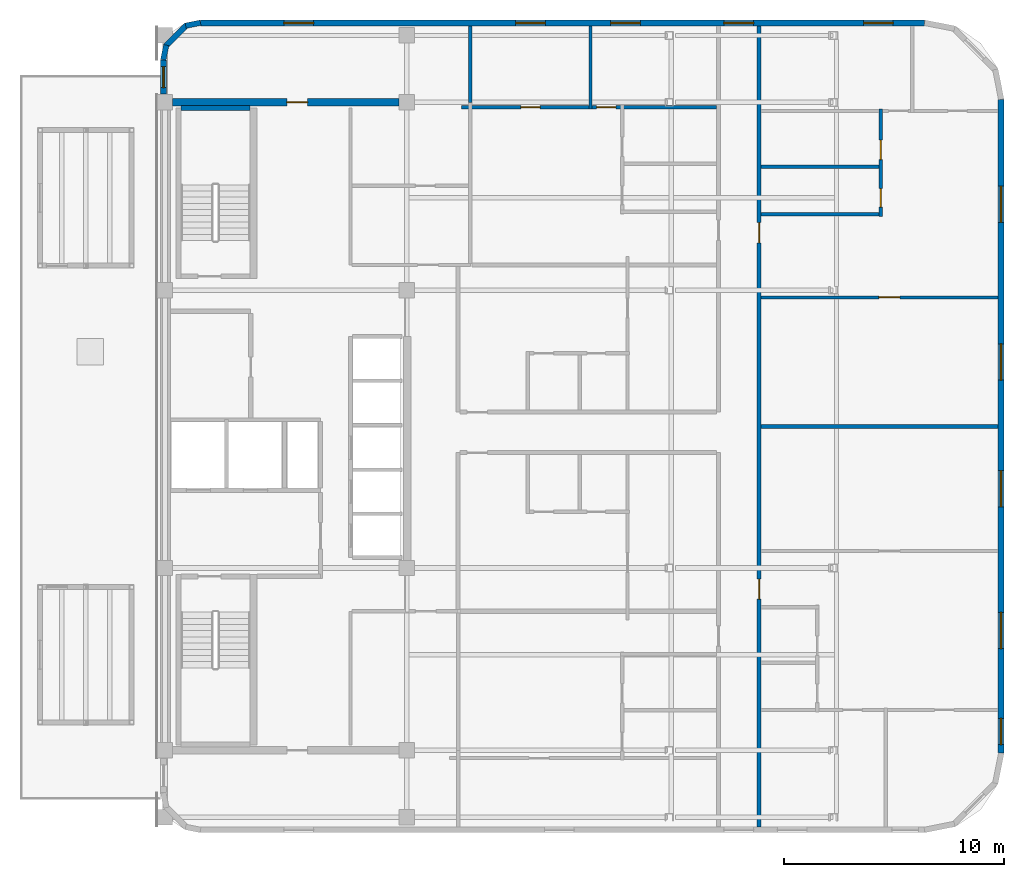
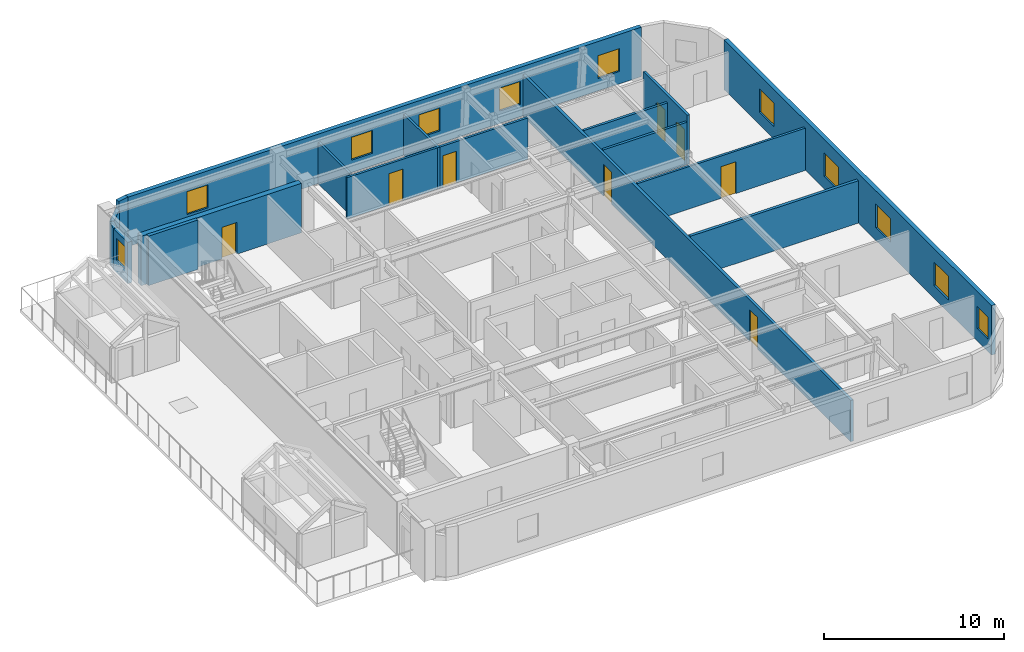
# One storey, part 11 of 13: 17 walls, 11 windows, 8 doors, 19 openings.
"""IFC4 building model written with IfcOpenShell, lengths in metres."""

from ifc_helpers import new_model, si_unit, direction, frame, frame_2d, origin, place, context, subcontext, project, spatial, rectangle, extrude, material, layer, layer_set, type_object, element, fill, save


model = new_model("IFC4")

# Units and contexts
model_context = context("Model", 3, precision=1e-05, world=origin(), true_north=direction((0.0, 1.0)))
body_context = subcontext(model_context, "Body", "Model", "MODEL_VIEW")
ifc_project = project(units=[si_unit("LENGTHUNIT", "METRE"), si_unit("AREAUNIT", "SQUARE_METRE"), si_unit("VOLUMEUNIT", "CUBIC_METRE"), si_unit("PLANEANGLEUNIT", "RADIAN"), si_unit("MASSUNIT", "GRAM", prefix="KILO")], contexts=[model_context])

# Site, building, storey
site_placement = place(None, origin())
site = spatial("IfcSite", under=ifc_project, at=site_placement, CompositionType="ELEMENT")
building_placement = place(site_placement, origin())
building = spatial("IfcBuilding", under=site, at=building_placement, Name="Ochreholt Gables", CompositionType="ELEMENT")
storey_placement = place(building_placement, frame((0.0, 0.0, 205.800048828125)))
storey = spatial("IfcBuildingStorey", under=building, at=storey_placement, Name="L53", CompositionType="ELEMENT", Elevation=205.800048828125)

# Wall, opening, door
ifc_material_1 = material(Name="Concrete 50 MPa", Category="concrete")
ifc_layer_1 = layer(ifc_material_1, 0.35009765625, Name="Concrete 50 MPa")
ifc_layer_set_1 = layer_set([ifc_layer_1], Name="Concrete 50 MPa")
wall_type_1 = type_object("IfcWallType", Name="WALL-CSW-350", PredefinedType="SHEAR", material=ifc_layer_set_1)
wall_1_placement = place(storey_placement, frame((24.550048828125, 38.75, 0.0), z_axis=(0.0, 0.0, 1.0), x_axis=(1.0, 0.0, 0.0)))
wall_1 = element("IfcWall", 1, at=wall_1_placement, inside=storey, type_object=wall_type_1, Name="L53 Core North Shear Wall", PredefinedType="SHEAR", context=body_context, shape_type="SweptSolid", body=[
    extrude(rectangle(XDim=10.300048828125, YDim=0.35009765625, at=frame_2d((5.14990234375, 0.0))), origin(), (0.0, 0.0, 1.0), 3.35986328125),
])
opening_1_placement = place(wall_1_placement, frame((5.199951171875, 0.0, 0.0)))
opening_1 = element("IfcOpeningElement", 2, at=opening_1_placement, cuts=wall_1, Name="Opening D-FL2", PredefinedType="OPENING", context=body_context, shape_type="SweptSolid", body=[
    extrude(rectangle(XDim=0.949951171875, YDim=2.14990234375, at=frame_2d((0.47509765625, 1.074951171875))), frame((0.0, 0.18505859375, 0.0), z_axis=(0.0, -1.0, 0.0), x_axis=(1.0, 0.0, 0.0)), (0.0, 0.0, 1.0), 0.3701171875),
])
ifc_material_2 = material(Name="Hollow Metal Steel", Category="steel")
door_type_1 = type_object("IfcDoorType", Name="DR-INT-FLB950", OperationType="NOTDEFINED", PredefinedType="DOOR", material=ifc_material_2)
door_1_placement = place(opening_1_placement, origin())
door_1 = element("IfcDoor", 3, at=door_1_placement, inside=storey, type_object=door_type_1, Name="L53 Door D-C3NSR-L53", OperationType="SINGLE_SWING_RIGHT", OverallHeight=2.14990234375, OverallWidth=0.949951171875, PredefinedType="DOOR", context=body_context, shape_type="SweptSolid", body=[
    extrude(rectangle(XDim=0.949951171875, YDim=2.14990234375, at=frame_2d((0.47509765625, 1.074951171875))), frame((0.0, 0.02490234375, 0.0), z_axis=(0.0, -1.0, 0.0), x_axis=(1.0, 0.0, 0.0)), (0.0, 0.0, 1.0), 0.050048828125),
])
fill(opening_1, door_1)

# Wall, openings, windows
ifc_material_3 = material(Name="Precast concrete 40 MPa", Category="concrete")
ifc_layer_2 = layer(ifc_material_3, 0.27001953125, Name="Precast concrete 40 MPa")
ifc_layer_set_2 = layer_set([ifc_layer_2], Name="Precast concrete 40 MPa")
wall_type_2 = type_object("IfcWallType", Name="WALL-EXT-270", PredefinedType="SOLIDWALL", material=ifc_layer_set_2)
wall_2_placement = place(storey_placement, frame((62.264892578125, 9.1201171875, 0.0), z_axis=(0.0, 0.0, 1.0), x_axis=(0.0, 1.0, 0.0)))
wall_2 = element("IfcWall", 4, at=wall_2_placement, inside=storey, type_object=wall_type_2, Name="L53 East Exterior Wall", PredefinedType="SOLIDWALL", context=body_context, shape_type="SweptSolid", body=[
    extrude(rectangle(XDim=29.759765625, YDim=0.27001953125, at=frame_2d((14.8798828125, 0.0))), origin(), (0.0, 0.0, 1.0), 3.35986328125),
])
opening_2_placement = place(wall_2_placement, frame((0.385009765625, 0.0, 0.85009765625)))
opening_2 = element("IfcOpeningElement", 5, at=opening_2_placement, cuts=wall_2, Name="Opening WN-3", PredefinedType="OPENING", context=body_context, shape_type="SweptSolid", body=[
    extrude(rectangle(XDim=1.199951171875, YDim=1.5, at=frame_2d((0.60009765625, 0.75))), frame((0.0, 0.14501953125, 0.0), z_axis=(0.0, -1.0, 0.0), x_axis=(1.0, 0.0, 0.0)), (0.0, 0.0, 1.0), 0.2900390625),
])
opening_3_placement = place(wall_2_placement, frame((4.7626953125, 0.0, 0.85009765625)))
opening_3 = element("IfcOpeningElement", 6, at=opening_3_placement, cuts=wall_2, Name="Opening WN-7", PredefinedType="OPENING", context=body_context, shape_type="SweptSolid", body=[
    extrude(rectangle(XDim=1.64990234375, YDim=1.60009765625, at=frame_2d((0.824951171875, 0.800048828125))), frame((0.0, 0.14501953125, 0.0), z_axis=(0.0, -1.0, 0.0), x_axis=(1.0, 0.0, 0.0)), (0.0, 0.0, 1.0), 0.2900390625),
])
opening_4_placement = place(wall_2_placement, frame((11.2177734375, 0.0, 0.85009765625)))
opening_4 = element("IfcOpeningElement", 7, at=opening_4_placement, cuts=wall_2, Name="Opening WN-7", PredefinedType="OPENING", context=body_context, shape_type="SweptSolid", body=[
    extrude(rectangle(XDim=1.64990234375, YDim=1.60009765625, at=frame_2d((0.824951171875, 0.800048828125))), frame((0.0, 0.14501953125, 0.0), z_axis=(0.0, -1.0, 0.0), x_axis=(1.0, 0.0, 0.0)), (0.0, 0.0, 1.0), 0.2900390625),
])
opening_5_placement = place(wall_2_placement, frame((16.989501953125, 0.0, 0.85009765625)))
opening_5 = element("IfcOpeningElement", 8, at=opening_5_placement, cuts=wall_2, Name="Opening WN-7", PredefinedType="OPENING", context=body_context, shape_type="SweptSolid", body=[
    extrude(rectangle(XDim=1.64990234375, YDim=1.60009765625, at=frame_2d((0.824951171875, 0.800048828125))), frame((0.0, 0.14501953125, 0.0), z_axis=(0.0, -1.0, 0.0), x_axis=(1.0, 0.0, 0.0)), (0.0, 0.0, 1.0), 0.2900390625),
])
opening_6_placement = place(wall_2_placement, frame((24.169677734375, 0.0, 0.85009765625)))
opening_6 = element("IfcOpeningElement", 9, at=opening_6_placement, cuts=wall_2, Name="Opening WN-7", PredefinedType="OPENING", context=body_context, shape_type="SweptSolid", body=[
    extrude(rectangle(XDim=1.64990234375, YDim=1.60009765625, at=frame_2d((0.824951171875, 0.800048828125))), frame((0.0, 0.14501953125, 0.0), z_axis=(0.0, -1.0, 0.0), x_axis=(1.0, 0.0, 0.0)), (0.0, 0.0, 1.0), 0.2900390625),
])
ifc_material_4 = material(Name="Triple-Glazed Thermally Broken Aluminium Window", Category="aluminium")
window_type_1 = type_object("IfcWindowType", Name="WIN-RES-1200", PartitioningType="SINGLE_PANEL", PredefinedType="WINDOW", material=ifc_material_4)
window_1_placement = place(opening_2_placement, origin())
window_1 = element("IfcWindow", 10, at=window_1_placement, inside=storey, type_object=window_type_1, Name="L53 Window W-EXT-E-L53-1", OverallHeight=1.5, OverallWidth=1.199951171875, PartitioningType="SINGLE_PANEL", PredefinedType="WINDOW", context=body_context, shape_type="SweptSolid", body=[
    extrude(rectangle(XDim=1.199951171875, YDim=1.5, at=frame_2d((0.60009765625, 0.75))), frame((0.0, 0.030029296875, 0.0), z_axis=(0.0, -1.0, 0.0), x_axis=(1.0, 0.0, 0.0)), (0.0, 0.0, 1.0), 0.06005859375),
])
fill(opening_2, window_1)
window_type_2 = type_object("IfcWindowType", Name="WIN-RES-1650", PartitioningType="SINGLE_PANEL", PredefinedType="WINDOW", material=ifc_material_4)
window_2_placement = place(opening_3_placement, origin())
window_2 = element("IfcWindow", 11, at=window_2_placement, inside=storey, type_object=window_type_2, Name="L53 Window W-EXT-E-L53-2", OverallHeight=1.60009765625, OverallWidth=1.64990234375, PartitioningType="SINGLE_PANEL", PredefinedType="WINDOW", context=body_context, shape_type="SweptSolid", body=[
    extrude(rectangle(XDim=1.64990234375, YDim=1.60009765625, at=frame_2d((0.824951171875, 0.800048828125))), frame((0.0, 0.030029296875, 0.0), z_axis=(0.0, -1.0, 0.0), x_axis=(1.0, 0.0, 0.0)), (0.0, 0.0, 1.0), 0.06005859375),
])
fill(opening_3, window_2)
window_3_placement = place(opening_4_placement, origin())
window_3 = element("IfcWindow", 12, at=window_3_placement, inside=storey, type_object=window_type_2, Name="L53 Window W-EXT-E-L53-3", OverallHeight=1.60009765625, OverallWidth=1.64990234375, PartitioningType="SINGLE_PANEL", PredefinedType="WINDOW", context=body_context, shape_type="SweptSolid", body=[
    extrude(rectangle(XDim=1.64990234375, YDim=1.60009765625, at=frame_2d((0.824951171875, 0.800048828125))), frame((0.0, 0.030029296875, 0.0), z_axis=(0.0, -1.0, 0.0), x_axis=(1.0, 0.0, 0.0)), (0.0, 0.0, 1.0), 0.06005859375),
])
fill(opening_4, window_3)
window_4_placement = place(opening_5_placement, origin())
window_4 = element("IfcWindow", 13, at=window_4_placement, inside=storey, type_object=window_type_2, Name="L53 Window W-EXT-E-L53-4", OverallHeight=1.60009765625, OverallWidth=1.64990234375, PartitioningType="SINGLE_PANEL", PredefinedType="WINDOW", context=body_context, shape_type="SweptSolid", body=[
    extrude(rectangle(XDim=1.64990234375, YDim=1.60009765625, at=frame_2d((0.824951171875, 0.800048828125))), frame((0.0, 0.030029296875, 0.0), z_axis=(0.0, -1.0, 0.0), x_axis=(1.0, 0.0, 0.0)), (0.0, 0.0, 1.0), 0.06005859375),
])
fill(opening_5, window_4)
window_5_placement = place(opening_6_placement, origin())
window_5 = element("IfcWindow", 14, at=window_5_placement, inside=storey, type_object=window_type_2, Name="L53 Window W-EXT-E-L53-5", OverallHeight=1.60009765625, OverallWidth=1.64990234375, PartitioningType="SINGLE_PANEL", PredefinedType="WINDOW", context=body_context, shape_type="SweptSolid", body=[
    extrude(rectangle(XDim=1.64990234375, YDim=1.60009765625, at=frame_2d((0.824951171875, 0.800048828125))), frame((0.0, 0.030029296875, 0.0), z_axis=(0.0, -1.0, 0.0), x_axis=(1.0, 0.0, 0.0)), (0.0, 0.0, 1.0), 0.06005859375),
])
fill(opening_6, window_5)

wall_3_placement = place(storey_placement, frame((58.780029296875, 42.364990234375, 0.0), z_axis=(0.0, 0.0, 1.0), x_axis=(-1.0, 0.0, 0.0)))
wall_3 = element("IfcWall", 15, at=wall_3_placement, inside=storey, type_object=wall_type_2, Name="L53 North Exterior Wall", PredefinedType="SOLIDWALL", context=body_context, shape_type="SweptSolid", body=[
    extrude(rectangle(XDim=32.9599609375, YDim=0.27001953125, at=frame_2d((16.47998046875, 0.0))), origin(), (0.0, 0.0, 1.0), 3.35986328125),
])
opening_7_placement = place(wall_3_placement, frame((27.81494140625, 0.0, 0.85009765625)))
opening_7 = element("IfcOpeningElement", 16, at=opening_7_placement, cuts=wall_3, Name="Opening WN-8", PredefinedType="OPENING", context=body_context, shape_type="SweptSolid", body=[
    extrude(rectangle(XDim=1.35009765625, YDim=1.550048828125, at=frame_2d((0.675048828125, 0.77490234375))), frame((0.0, 0.14501953125, 0.0), z_axis=(0.0, -1.0, 0.0), x_axis=(1.0, 0.0, 0.0)), (0.0, 0.0, 1.0), 0.2900390625),
])
opening_8_placement = place(wall_3_placement, frame((17.264892578125, 0.0, 0.85009765625)))
opening_8 = element("IfcOpeningElement", 17, at=opening_8_placement, cuts=wall_3, Name="Opening WN-8", PredefinedType="OPENING", context=body_context, shape_type="SweptSolid", body=[
    extrude(rectangle(XDim=1.35009765625, YDim=1.550048828125, at=frame_2d((0.675048828125, 0.77490234375))), frame((0.0, 0.14501953125, 0.0), z_axis=(0.0, -1.0, 0.0), x_axis=(1.0, 0.0, 0.0)), (0.0, 0.0, 1.0), 0.2900390625),
])
opening_9_placement = place(wall_3_placement, frame((12.93408203125, 0.0, 0.85009765625)))
opening_9 = element("IfcOpeningElement", 18, at=opening_9_placement, cuts=wall_3, Name="Opening WN-8", PredefinedType="OPENING", context=body_context, shape_type="SweptSolid", body=[
    extrude(rectangle(XDim=1.35009765625, YDim=1.550048828125, at=frame_2d((0.675048828125, 0.77490234375))), frame((0.0, 0.14501953125, 0.0), z_axis=(0.0, -1.0, 0.0), x_axis=(1.0, 0.0, 0.0)), (0.0, 0.0, 1.0), 0.2900390625),
])
opening_10_placement = place(wall_3_placement, frame((7.780029296875, 0.0, 0.85009765625)))
opening_10 = element("IfcOpeningElement", 19, at=opening_10_placement, cuts=wall_3, Name="Opening WN-8", PredefinedType="OPENING", context=body_context, shape_type="SweptSolid", body=[
    extrude(rectangle(XDim=1.35009765625, YDim=1.550048828125, at=frame_2d((0.675048828125, 0.77490234375))), frame((0.0, 0.14501953125, 0.0), z_axis=(0.0, -1.0, 0.0), x_axis=(1.0, 0.0, 0.0)), (0.0, 0.0, 1.0), 0.2900390625),
])
opening_11_placement = place(wall_3_placement, frame((1.42626953125, 0.0, 0.85009765625)))
opening_11 = element("IfcOpeningElement", 20, at=opening_11_placement, cuts=wall_3, Name="Opening WN-8", PredefinedType="OPENING", context=body_context, shape_type="SweptSolid", body=[
    extrude(rectangle(XDim=1.35009765625, YDim=1.550048828125, at=frame_2d((0.675048828125, 0.77490234375))), frame((0.0, 0.14501953125, 0.0), z_axis=(0.0, -1.0, 0.0), x_axis=(1.0, 0.0, 0.0)), (0.0, 0.0, 1.0), 0.2900390625),
])
window_type_3 = type_object("IfcWindowType", Name="WIN-RES-1350", PartitioningType="SINGLE_PANEL", PredefinedType="WINDOW", material=ifc_material_4)
window_6_placement = place(opening_7_placement, origin())
window_6 = element("IfcWindow", 21, at=window_6_placement, inside=storey, type_object=window_type_3, Name="L53 Window W-EXT-N-L53-1", OverallHeight=1.550048828125, OverallWidth=1.35009765625, PartitioningType="SINGLE_PANEL", PredefinedType="WINDOW", context=body_context, shape_type="SweptSolid", body=[
    extrude(rectangle(XDim=1.35009765625, YDim=1.550048828125, at=frame_2d((0.675048828125, 0.77490234375))), frame((0.0, 0.030029296875, 0.0), z_axis=(0.0, -1.0, 0.0), x_axis=(1.0, 0.0, 0.0)), (0.0, 0.0, 1.0), 0.06005859375),
])
fill(opening_7, window_6)
window_7_placement = place(opening_8_placement, origin())
window_7 = element("IfcWindow", 22, at=window_7_placement, inside=storey, type_object=window_type_3, Name="L53 Window W-EXT-N-L53-2", OverallHeight=1.550048828125, OverallWidth=1.35009765625, PartitioningType="SINGLE_PANEL", PredefinedType="WINDOW", context=body_context, shape_type="SweptSolid", body=[
    extrude(rectangle(XDim=1.35009765625, YDim=1.550048828125, at=frame_2d((0.675048828125, 0.77490234375))), frame((0.0, 0.030029296875, 0.0), z_axis=(0.0, -1.0, 0.0), x_axis=(1.0, 0.0, 0.0)), (0.0, 0.0, 1.0), 0.06005859375),
])
fill(opening_8, window_7)
window_8_placement = place(opening_9_placement, origin())
window_8 = element("IfcWindow", 23, at=window_8_placement, inside=storey, type_object=window_type_3, Name="L53 Window W-EXT-N-L53-3", OverallHeight=1.550048828125, OverallWidth=1.35009765625, PartitioningType="SINGLE_PANEL", PredefinedType="WINDOW", context=body_context, shape_type="SweptSolid", body=[
    extrude(rectangle(XDim=1.35009765625, YDim=1.550048828125, at=frame_2d((0.675048828125, 0.77490234375))), frame((0.0, 0.030029296875, 0.0), z_axis=(0.0, -1.0, 0.0), x_axis=(1.0, 0.0, 0.0)), (0.0, 0.0, 1.0), 0.06005859375),
])
fill(opening_9, window_8)
window_9_placement = place(opening_10_placement, origin())
window_9 = element("IfcWindow", 24, at=window_9_placement, inside=storey, type_object=window_type_3, Name="L53 Window W-EXT-N-L53-4", OverallHeight=1.550048828125, OverallWidth=1.35009765625, PartitioningType="SINGLE_PANEL", PredefinedType="WINDOW", context=body_context, shape_type="SweptSolid", body=[
    extrude(rectangle(XDim=1.35009765625, YDim=1.550048828125, at=frame_2d((0.675048828125, 0.77490234375))), frame((0.0, 0.030029296875, 0.0), z_axis=(0.0, -1.0, 0.0), x_axis=(1.0, 0.0, 0.0)), (0.0, 0.0, 1.0), 0.06005859375),
])
fill(opening_10, window_9)
window_10_placement = place(opening_11_placement, origin())
window_10 = element("IfcWindow", 25, at=window_10_placement, inside=storey, type_object=window_type_3, Name="L53 Window W-EXT-N-L53-5", OverallHeight=1.550048828125, OverallWidth=1.35009765625, PartitioningType="SINGLE_PANEL", PredefinedType="WINDOW", context=body_context, shape_type="SweptSolid", body=[
    extrude(rectangle(XDim=1.35009765625, YDim=1.550048828125, at=frame_2d((0.675048828125, 0.77490234375))), frame((0.0, 0.030029296875, 0.0), z_axis=(0.0, -1.0, 0.0), x_axis=(1.0, 0.0, 0.0)), (0.0, 0.0, 1.0), 0.06005859375),
])
fill(opening_11, window_10)

# Wall, opening, window
wall_4_placement = place(storey_placement, frame((24.135009765625, 39.1201171875, 0.0), z_axis=(0.0, 0.0, 1.0), x_axis=(0.0, 1.0, 0.0)))
wall_4 = element("IfcWall", 26, at=wall_4_placement, inside=storey, type_object=wall_type_2, Name="L53 West Facade North Bay Wall", PredefinedType="SOLIDWALL", context=body_context, shape_type="SweptSolid", body=[
    extrude(rectangle(XDim=1.559814453125, YDim=0.27001953125, at=frame_2d((0.77978515625, 0.0))), origin(), (0.0, 0.0, 1.0), 2.802978515625),
])
opening_12_placement = place(wall_4_placement, frame((0.304931640625, 0.0, 0.85009765625)))
opening_12 = element("IfcOpeningElement", 27, at=opening_12_placement, cuts=wall_4, Name="Opening WN-10", PredefinedType="OPENING", context=body_context, shape_type="SweptSolid", body=[
    extrude(rectangle(XDim=0.949951171875, YDim=1.5, at=frame_2d((0.47509765625, 0.75))), frame((0.0, 0.14501953125, 0.0), z_axis=(0.0, -1.0, 0.0), x_axis=(1.0, 0.0, 0.0)), (0.0, 0.0, 1.0), 0.2900390625),
])
window_type_4 = type_object("IfcWindowType", Name="WIN-RES-950", PartitioningType="SINGLE_PANEL", PredefinedType="WINDOW", material=ifc_material_4)
window_11_placement = place(opening_12_placement, origin())
window_11 = element("IfcWindow", 28, at=window_11_placement, inside=storey, type_object=window_type_4, Name="L53 North Sky Reading West Window", OverallHeight=1.5, OverallWidth=0.949951171875, PartitioningType="SINGLE_PANEL", PredefinedType="WINDOW", context=body_context, shape_type="SweptSolid", body=[
    extrude(rectangle(XDim=0.949951171875, YDim=1.5, at=frame_2d((0.47509765625, 0.75))), frame((0.0, 0.030029296875, 0.0), z_axis=(0.0, -1.0, 0.0), x_axis=(1.0, 0.0, 0.0)), (0.0, 0.0, 1.0), 0.06005859375),
])
fill(opening_12, window_11)

# Walls
ifc_layer_3 = layer(ifc_material_3, 0.25, Name="Precast concrete 40 MPa")
ifc_layer_set_3 = layer_set([ifc_layer_3], Name="Precast concrete 40 MPa")
wall_type_3 = type_object("IfcWallType", Name="WALL-EXT-CNR", PredefinedType="SOLIDWALL", material=ifc_layer_set_3)
wall_5_placement = place(storey_placement, frame((25.81640625, 42.375732421875, 0.0), z_axis=(0.0, 0.0, 1.0), x_axis=(-0.980812594069, -0.194952956674, 0.0)))
element("IfcWall", 29, at=wall_5_placement, inside=storey, type_object=wall_type_3, Name="L53 Rounded Corner Wall NW-1", PredefinedType="SOLIDWALL", context=body_context, shape_type="SweptSolid", body=[
    extrude(rectangle(XDim=0.686279296875, YDim=0.25, at=frame_2d((0.34326171875, 0.0))), origin(), (0.0, 0.0, 1.0), 3.35986328125),
])
wall_6_placement = place(storey_placement, frame((25.19384765625, 42.26904296875, 0.0), z_axis=(0.0, 0.0, 1.0), x_axis=(-0.707106781187, -0.707106781187, 0.0)))
element("IfcWall", 30, at=wall_6_placement, inside=storey, type_object=wall_type_3, Name="L53 Rounded Corner Wall NW-2", PredefinedType="SOLIDWALL", context=body_context, shape_type="SweptSolid", body=[
    extrude(rectangle(XDim=1.36181640625, YDim=0.25, at=frame_2d((0.680908203125, 0.0))), origin(), (0.0, 0.0, 1.0), 2.802978515625),
])
wall_7_placement = place(storey_placement, frame((24.258056640625, 41.356689453125, 0.0), z_axis=(0.0, 0.0, 1.0), x_axis=(-0.194952956674, -0.980812594069, 0.0)))
element("IfcWall", 31, at=wall_7_placement, inside=storey, type_object=wall_type_3, Name="L53 Rounded Corner Wall NW-3", PredefinedType="SOLIDWALL", context=body_context, shape_type="SweptSolid", body=[
    extrude(rectangle(XDim=0.686279296875, YDim=0.25, at=frame_2d((0.34326171875, 0.0))), origin(), (0.0, 0.0, 1.0), 2.802978515625),
])

# Wall, openings, doors
ifc_material_5 = material(Name="Fire-Rated Gypsum Acoustic Partition", Category="gypsum")
ifc_layer_4 = layer(ifc_material_5, 0.179931640625, Name="Fire-Rated Gypsum Acoustic Partition")
ifc_layer_set_4 = layer_set([ifc_layer_4], Name="Fire-Rated Gypsum Acoustic Partition")
wall_type_4 = type_object("IfcWallType", Name="WALL-INT-CR180", PredefinedType="STANDARD", material=ifc_layer_set_4)
wall_8_placement = place(storey_placement, frame((51.25, 5.77001953125, 0.0), z_axis=(0.0, 0.0, 1.0), x_axis=(0.0, 1.0, 0.0)))
wall_8 = element("IfcWall", 32, at=wall_8_placement, inside=storey, type_object=wall_type_4, Name="L53 Interior Wall WI-C3GE-L53", PredefinedType="STANDARD", context=body_context, shape_type="SweptSolid", body=[
    extrude(rectangle(XDim=36.4599609375, YDim=0.179931640625, at=frame_2d((18.22998046875, 0.0))), origin(), (0.0, 0.0, 1.0), 2.802978515625),
])
opening_13_placement = place(wall_8_placement, frame((10.3583984375, 0.0, 0.0)))
opening_13 = element("IfcOpeningElement", 33, at=opening_13_placement, cuts=wall_8, Name="Opening D-UN1", PredefinedType="OPENING", context=body_context, shape_type="SweptSolid", body=[
    extrude(rectangle(XDim=0.919921875, YDim=2.14990234375, at=frame_2d((0.4599609375, 1.074951171875))), frame((0.0, 0.099853515625, 0.0), z_axis=(0.0, -1.0, 0.0), x_axis=(1.0, 0.0, 0.0)), (0.0, 0.0, 1.0), 0.199951171875),
])
opening_14_placement = place(wall_8_placement, frame((26.5830078125, 0.0, 0.0)))
opening_14 = element("IfcOpeningElement", 34, at=opening_14_placement, cuts=wall_8, Name="Opening D-UN1", PredefinedType="OPENING", context=body_context, shape_type="SweptSolid", body=[
    extrude(rectangle(XDim=0.919921875, YDim=2.14990234375, at=frame_2d((0.4599609375, 1.074951171875))), frame((0.0, 0.099853515625, 0.0), z_axis=(0.0, -1.0, 0.0), x_axis=(1.0, 0.0, 0.0)), (0.0, 0.0, 1.0), 0.199951171875),
])
ifc_material_6 = material(Name="Engineered Oak Timber", Category="wood")
door_type_2 = type_object("IfcDoorType", Name="DR-INT-UNT920", OperationType="NOTDEFINED", PredefinedType="DOOR", material=ifc_material_6)
door_2_placement = place(opening_13_placement, origin())
door_2 = element("IfcDoor", 35, at=door_2_placement, inside=storey, type_object=door_type_2, Name="L53 Door D-U-L53E1-ENT", OperationType="SINGLE_SWING_RIGHT", OverallHeight=2.14990234375, OverallWidth=0.919921875, PredefinedType="DOOR", context=body_context, shape_type="SweptSolid", body=[
    extrude(rectangle(XDim=0.919921875, YDim=2.14990234375, at=frame_2d((0.4599609375, 1.074951171875))), frame((0.0, 0.02490234375, 0.0), z_axis=(0.0, -1.0, 0.0), x_axis=(1.0, 0.0, 0.0)), (0.0, 0.0, 1.0), 0.050048828125),
])
fill(opening_13, door_2)
door_3_placement = place(opening_14_placement, origin())
door_3 = element("IfcDoor", 36, at=door_3_placement, inside=storey, type_object=door_type_2, Name="L53 Door D-U-L53E2-ENT", OperationType="SINGLE_SWING_LEFT", OverallHeight=2.14990234375, OverallWidth=0.919921875, PredefinedType="DOOR", context=body_context, shape_type="SweptSolid", body=[
    extrude(rectangle(XDim=0.919921875, YDim=2.14990234375, at=frame_2d((0.4599609375, 1.074951171875))), frame((0.0, 0.02490234375, 0.0), z_axis=(0.0, -1.0, 0.0), x_axis=(1.0, 0.0, 0.0)), (0.0, 0.0, 1.0), 0.050048828125),
])
fill(opening_14, door_3)

# Walls
ifc_material_7 = material(Name="Double-Stud Acoustic Demising Wall", Category="gypsum")
ifc_layer_5 = layer(ifc_material_7, 0.18505859375, Name="Double-Stud Acoustic Demising Wall")
ifc_layer_set_5 = layer_set([ifc_layer_5], Name="Double-Stud Acoustic Demising Wall")
wall_type_5 = type_object("IfcWallType", Name="WALL-INT-DM185", PredefinedType="PARTITIONING", material=ifc_layer_set_5)
wall_9_placement = place(storey_placement, frame((51.340087890625, 24.0, 0.0), z_axis=(0.0, 0.0, 1.0), x_axis=(1.0, 0.0, 0.0)))
element("IfcWall", 37, at=wall_9_placement, inside=storey, type_object=wall_type_5, Name="L53 Interior Wall WI-C3UDE2-L53", PredefinedType="PARTITIONING", context=body_context, shape_type="SweptSolid", body=[
    extrude(rectangle(XDim=10.789794921875, YDim=0.18505859375, at=frame_2d((5.39501953125, 0.0))), origin(), (0.0, 0.0, 1.0), 2.87890625),
])
ifc_material_8 = material(Name="Moisture-Resistant Plumbing Chase Wall", Category="gypsum")
ifc_layer_6 = layer(ifc_material_8, 0.159912109375, Name="Moisture-Resistant Plumbing Chase Wall")
ifc_layer_set_6 = layer_set([ifc_layer_6], Name="Moisture-Resistant Plumbing Chase Wall")
wall_type_6 = type_object("IfcWallType", Name="WALL-INT-PL160", PredefinedType="PLUMBINGWALL", material=ifc_layer_set_6)
wall_10_placement = place(storey_placement, frame((51.340087890625, 33.653076171875, 0.0), z_axis=(0.0, 0.0, 1.0), x_axis=(1.0, 0.0, 0.0)))
element("IfcWall", 38, at=wall_10_placement, inside=storey, type_object=wall_type_6, Name="L53 Interior Wall WU-L53E2-FYS", PredefinedType="PLUMBINGWALL", context=body_context, shape_type="SweptSolid", body=[
    extrude(rectangle(XDim=5.530029296875, YDim=0.159912109375, at=frame_2d((2.76513671875, 0.0))), origin(), (0.0, 0.0, 1.0), 2.87890625),
])

# Wall, openings, doors
wall_11_placement = place(storey_placement, frame((56.7900390625, 33.56298828125, 0.0), z_axis=(0.0, 0.0, 1.0), x_axis=(0.0, 1.0, 0.0)))
wall_11 = element("IfcWall", 39, at=wall_11_placement, inside=storey, type_object=wall_type_6, Name="L53 Interior Wall WU-L53E2-WX", PredefinedType="PLUMBINGWALL", context=body_context, shape_type="SweptSolid", body=[
    extrude(rectangle(XDim=4.886962890625, YDim=0.159912109375, at=frame_2d((2.443359375, 0.0))), origin(), (0.0, 0.0, 1.0), 3.35986328125),
])
opening_15_placement = place(wall_11_placement, frame((0.419921875, 0.0, 0.0)))
opening_15 = element("IfcOpeningElement", 40, at=opening_15_placement, cuts=wall_11, Name="Opening D-BT2", PredefinedType="OPENING", context=body_context, shape_type="SweptSolid", body=[
    extrude(rectangle(XDim=0.840087890625, YDim=2.1201171875, at=frame_2d((0.419921875, 1.06005859375))), frame((0.0, 0.08984375, 0.0), z_axis=(0.0, -1.0, 0.0), x_axis=(1.0, 0.0, 0.0)), (0.0, 0.0, 1.0), 0.179931640625),
])
opening_16_placement = place(wall_11_placement, frame((2.585205078125, 0.0, 0.0)))
opening_16 = element("IfcOpeningElement", 41, at=opening_16_placement, cuts=wall_11, Name="Opening D-GN2", PredefinedType="OPENING", context=body_context, shape_type="SweptSolid", body=[
    extrude(rectangle(XDim=0.8798828125, YDim=2.1201171875, at=frame_2d((0.43994140625, 1.06005859375))), frame((0.0, 0.08984375, 0.0), z_axis=(0.0, -1.0, 0.0), x_axis=(1.0, 0.0, 0.0)), (0.0, 0.0, 1.0), 0.179931640625),
])
door_type_3 = type_object("IfcDoorType", Name="DR-INT-BTH840", OperationType="NOTDEFINED", PredefinedType="DOOR", material=ifc_material_6)
door_4_placement = place(opening_15_placement, origin())
door_4 = element("IfcDoor", 42, at=door_4_placement, inside=storey, type_object=door_type_3, Name="L53 Door D-U-L53E2-BTH", OperationType="SINGLE_SWING_RIGHT", OverallHeight=2.1201171875, OverallWidth=0.840087890625, PredefinedType="DOOR", context=body_context, shape_type="SweptSolid", body=[
    extrude(rectangle(XDim=0.840087890625, YDim=2.1201171875, at=frame_2d((0.419921875, 1.06005859375))), frame((0.0, 0.02490234375, 0.0), z_axis=(0.0, -1.0, 0.0), x_axis=(1.0, 0.0, 0.0)), (0.0, 0.0, 1.0), 0.050048828125),
])
fill(opening_15, door_4)
door_type_4 = type_object("IfcDoorType", Name="DR-INT-GEN880", OperationType="NOTDEFINED", PredefinedType="DOOR", material=ifc_material_6)
door_5_placement = place(opening_16_placement, origin())
door_5 = element("IfcDoor", 43, at=door_5_placement, inside=storey, type_object=door_type_4, Name="L53 Door D-U-L53E2-KIT", OperationType="SINGLE_SWING_LEFT", OverallHeight=2.1201171875, OverallWidth=0.8798828125, PredefinedType="DOOR", context=body_context, shape_type="SweptSolid", body=[
    extrude(rectangle(XDim=0.8798828125, YDim=2.1201171875, at=frame_2d((0.43994140625, 1.06005859375))), frame((0.0, 0.02490234375, 0.0), z_axis=(0.0, -1.0, 0.0), x_axis=(1.0, 0.0, 0.0)), (0.0, 0.0, 1.0), 0.050048828125),
])
fill(opening_16, door_5)

# Wall
wall_12_placement = place(storey_placement, frame((51.340087890625, 35.818115234375, 0.0), z_axis=(0.0, 0.0, 1.0), x_axis=(1.0, 0.0, 0.0)))
element("IfcWall", 44, at=wall_12_placement, inside=storey, type_object=wall_type_6, Name="L53 Interior Wall WU-L53E2-WK", PredefinedType="PLUMBINGWALL", context=body_context, shape_type="SweptSolid", body=[
    extrude(rectangle(XDim=5.369873046875, YDim=0.159912109375, at=frame_2d((2.68505859375, 0.0))), origin(), (0.0, 0.0, 1.0), 2.87890625),
])

# Wall, opening, door
ifc_material_9 = material(Name="Lightweight Stud Partition", Category="gypsum")
ifc_layer_7 = layer(ifc_material_9, 0.14501953125, Name="Lightweight Stud Partition")
ifc_layer_set_7 = layer_set([ifc_layer_7], Name="Lightweight Stud Partition")
wall_type_7 = type_object("IfcWallType", Name="WALL-INT-PT145", PredefinedType="PARTITIONING", material=ifc_layer_set_7)
wall_13_placement = place(storey_placement, frame((51.340087890625, 29.869140625, 0.0), z_axis=(0.0, 0.0, 1.0), x_axis=(1.0, 0.0, 0.0)))
wall_13 = element("IfcWall", 45, at=wall_13_placement, inside=storey, type_object=wall_type_7, Name="L53 Interior Wall WU-L53E2-DNW", PredefinedType="PARTITIONING", context=body_context, shape_type="SweptSolid", body=[
    extrude(rectangle(XDim=10.789794921875, YDim=0.14501953125, at=frame_2d((5.39501953125, 0.0))), origin(), (0.0, 0.0, 1.0), 2.87890625),
])
opening_17_placement = place(wall_13_placement, frame((5.364990234375, 0.0, 0.0)))
opening_17 = element("IfcOpeningElement", 46, at=opening_17_placement, cuts=wall_13, Name="Opening D-GN1", PredefinedType="OPENING", context=body_context, shape_type="SweptSolid", body=[
    extrude(rectangle(XDim=0.949951171875, YDim=2.14990234375, at=frame_2d((0.47509765625, 1.074951171875))), frame((0.0, 0.08251953125, 0.0), z_axis=(0.0, -1.0, 0.0), x_axis=(1.0, 0.0, 0.0)), (0.0, 0.0, 1.0), 0.1650390625),
])
door_type_5 = type_object("IfcDoorType", Name="DR-INT-GEN950", OperationType="NOTDEFINED", PredefinedType="DOOR", material=ifc_material_6)
door_6_placement = place(opening_17_placement, origin())
door_6 = element("IfcDoor", 47, at=door_6_placement, inside=storey, type_object=door_type_5, Name="L53 Door D-U-L53E2-DIN", OperationType="SINGLE_SWING_RIGHT", OverallHeight=2.14990234375, OverallWidth=0.949951171875, PredefinedType="DOOR", context=body_context, shape_type="SweptSolid", body=[
    extrude(rectangle(XDim=0.949951171875, YDim=2.14990234375, at=frame_2d((0.47509765625, 1.074951171875))), frame((0.0, 0.02490234375, 0.0), z_axis=(0.0, -1.0, 0.0), x_axis=(1.0, 0.0, 0.0)), (0.0, 0.0, 1.0), 0.050048828125),
])
fill(opening_17, door_6)

# Wall
wall_14_placement = place(storey_placement, frame((38.10009765625, 38.75, 0.0), z_axis=(0.0, 0.0, 1.0), x_axis=(0.0, 1.0, 0.0)))
element("IfcWall", 48, at=wall_14_placement, inside=storey, type_object=wall_type_7, Name="L53 Interior Wall WI-C3NMW-L53", PredefinedType="PARTITIONING", context=body_context, shape_type="SweptSolid", body=[
    extrude(rectangle(XDim=3.47998046875, YDim=0.14501953125, at=frame_2d((1.739990234375, 0.0))), origin(), (0.0, 0.0, 1.0), 2.802978515625),
])

# Wall, openings, doors
wall_15_placement = place(storey_placement, frame((37.7099609375, 38.531494140625, 0.0), z_axis=(0.0, 0.0, 1.0), x_axis=(1.0, 0.0, 0.0)))
wall_15 = element("IfcWall", 49, at=wall_15_placement, inside=storey, type_object=wall_type_7, Name="L53 Interior Wall WU-L53NM2-MN", PredefinedType="PARTITIONING", context=body_context, shape_type="SweptSolid", body=[
    extrude(rectangle(XDim=11.60009765625, YDim=0.14501953125, at=frame_2d((5.800048828125, 0.0))), origin(), (0.0, 0.0, 1.0), 2.802978515625),
])
opening_18_placement = place(wall_15_placement, frame((2.68994140625, 0.0, 0.0)))
opening_18 = element("IfcOpeningElement", 50, at=opening_18_placement, cuts=wall_15, Name="Opening D-BD2", PredefinedType="OPENING", context=body_context, shape_type="SweptSolid", body=[
    extrude(rectangle(XDim=0.8798828125, YDim=2.139892578125, at=frame_2d((0.43994140625, 1.06982421875))), frame((0.0, 0.08251953125, 0.0), z_axis=(0.0, -1.0, 0.0), x_axis=(1.0, 0.0, 0.0)), (0.0, 0.0, 1.0), 0.1650390625),
])
opening_19_placement = place(wall_15_placement, frame((6.139892578125, 0.0, 0.0)))
opening_19 = element("IfcOpeningElement", 51, at=opening_19_placement, cuts=wall_15, Name="Opening D-BD2", PredefinedType="OPENING", context=body_context, shape_type="SweptSolid", body=[
    extrude(rectangle(XDim=0.8798828125, YDim=2.139892578125, at=frame_2d((0.43994140625, 1.06982421875))), frame((0.0, 0.08251953125, 0.0), z_axis=(0.0, -1.0, 0.0), x_axis=(1.0, 0.0, 0.0)), (0.0, 0.0, 1.0), 0.1650390625),
])
door_type_6 = type_object("IfcDoorType", Name="DR-INT-BED880", OperationType="NOTDEFINED", PredefinedType="DOOR", material=ifc_material_6)
door_7_placement = place(opening_18_placement, origin())
door_7 = element("IfcDoor", 52, at=door_7_placement, inside=storey, type_object=door_type_6, Name="L53 Door D-U-L53NM2-BD1", OperationType="SINGLE_SWING_LEFT", OverallHeight=2.139892578125, OverallWidth=0.8798828125, PredefinedType="DOOR", context=body_context, shape_type="SweptSolid", body=[
    extrude(rectangle(XDim=0.8798828125, YDim=2.139892578125, at=frame_2d((0.43994140625, 1.06982421875))), frame((0.0, 0.02490234375, 0.0), z_axis=(0.0, -1.0, 0.0), x_axis=(1.0, 0.0, 0.0)), (0.0, 0.0, 1.0), 0.050048828125),
])
fill(opening_18, door_7)
door_8_placement = place(opening_19_placement, origin())
door_8 = element("IfcDoor", 53, at=door_8_placement, inside=storey, type_object=door_type_6, Name="L53 Door D-U-L53NM2-BD2", OperationType="SINGLE_SWING_RIGHT", OverallHeight=2.139892578125, OverallWidth=0.8798828125, PredefinedType="DOOR", context=body_context, shape_type="SweptSolid", body=[
    extrude(rectangle(XDim=0.8798828125, YDim=2.139892578125, at=frame_2d((0.43994140625, 1.06982421875))), frame((0.0, 0.02490234375, 0.0), z_axis=(0.0, -1.0, 0.0), x_axis=(1.0, 0.0, 0.0)), (0.0, 0.0, 1.0), 0.050048828125),
])
fill(opening_19, door_8)

# Walls
wall_16_placement = place(storey_placement, frame((43.580078125, 38.451416015625, 0.0), z_axis=(0.0, 0.0, 1.0), x_axis=(0.0, 1.0, 0.0)))
element("IfcWall", 54, at=wall_16_placement, inside=storey, type_object=wall_type_7, Name="L53 Interior Wall WU-L53NM2-BSD", PredefinedType="PARTITIONING", context=body_context, shape_type="SweptSolid", body=[
    extrude(rectangle(XDim=3.778564453125, YDim=0.14501953125, at=frame_2d((1.88916015625, 0.0))), origin(), (0.0, 0.0, 1.0), 2.802978515625),
])
ifc_layer_8 = layer(ifc_material_1, 0.219970703125, Name="Concrete 50 MPa")
ifc_layer_set_8 = layer_set([ifc_layer_8], Name="Concrete 50 MPa")
wall_type_8 = type_object("IfcWallType", Name="WALL-STW-220", PredefinedType="SHEAR", material=ifc_layer_set_8)
wall_17_placement = place(storey_placement, frame((24.919921875, 38.489990234375, 0.0), z_axis=(0.0, 0.0, 1.0), x_axis=(1.0, 0.0, 0.0)))
element("IfcWall", 55, at=wall_17_placement, inside=storey, type_object=wall_type_8, Name="L53 Exit Stair 2 North Wall", PredefinedType="SHEAR", context=body_context, shape_type="SweptSolid", body=[
    extrude(rectangle(XDim=3.16015625, YDim=0.219970703125, at=frame_2d((1.580078125, 0.0))), origin(), (0.0, 0.0, 1.0), 3.35986328125),
])

save(model, "model.ifc")
